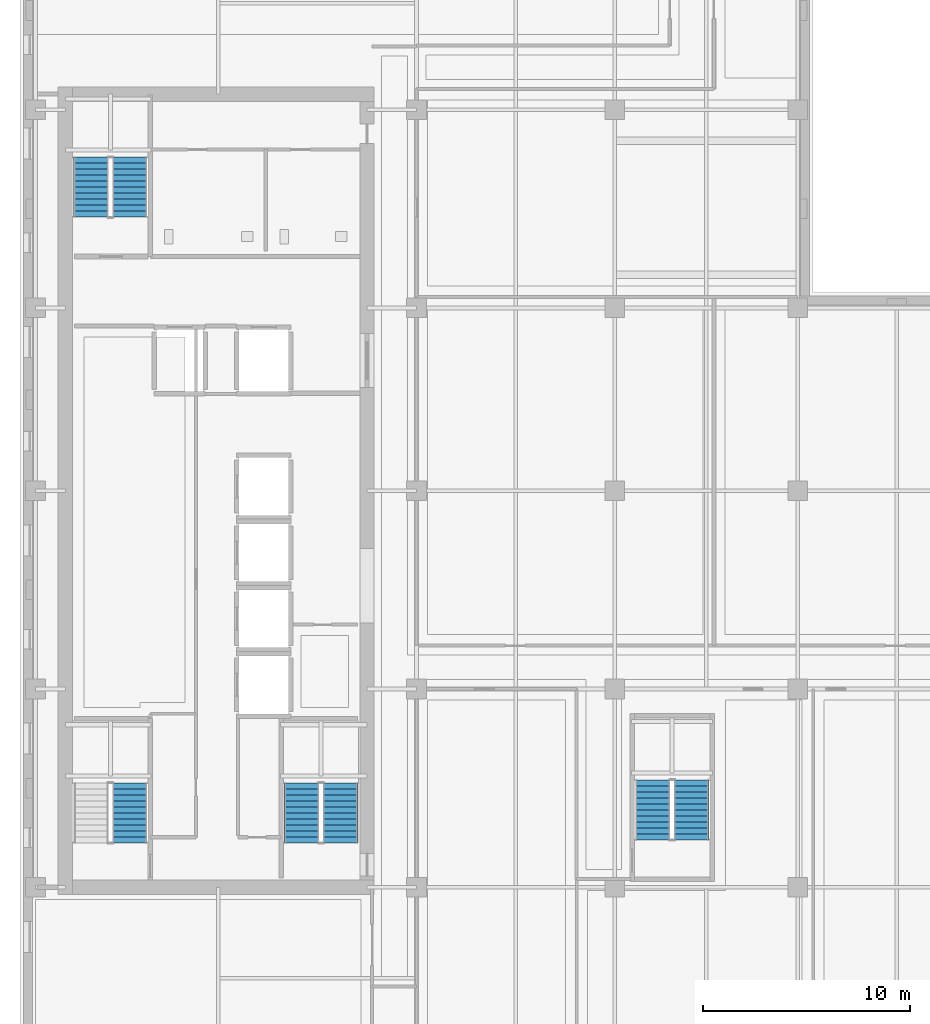
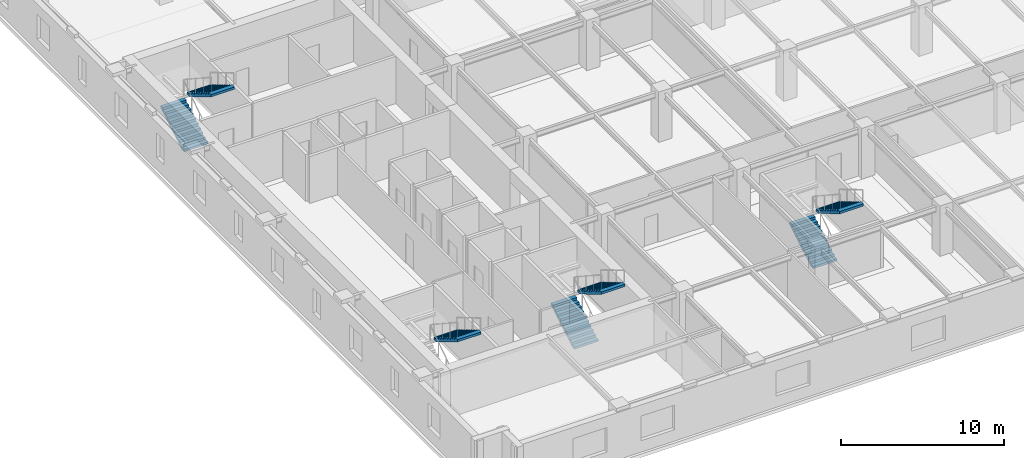
# One storey, part 8 of 13: 7 stair flights, 4 elements without a shape of their own.
"""IFC4 building model written with IfcOpenShell, lengths in metres."""

from ifc_helpers import new_model, si_unit, direction, frame, origin, place, context, subcontext, project, spatial, polyline, outline, extrude, material, type_object, element, aggregate, save


model = new_model("IFC4")

# Units and contexts
model_context = context("Model", 3, precision=1e-05, world=origin(), true_north=direction((0.0, 1.0)))
body_context = subcontext(model_context, "Body", "Model", "MODEL_VIEW")
ifc_project = project(units=[si_unit("LENGTHUNIT", "METRE"), si_unit("AREAUNIT", "SQUARE_METRE"), si_unit("VOLUMEUNIT", "CUBIC_METRE"), si_unit("PLANEANGLEUNIT", "RADIAN"), si_unit("MASSUNIT", "GRAM", prefix="KILO")], contexts=[model_context])

# Site, building, storey
site_placement = place(None, origin())
site = spatial("IfcSite", under=ifc_project, at=site_placement, CompositionType="ELEMENT")
building_placement = place(site_placement, origin())
building = spatial("IfcBuilding", under=site, at=building_placement, Name="Norrvale University Quadrangle", CompositionType="ELEMENT")
storey_placement = place(building_placement, frame((0.0, 0.0, 163.60009765625)))
storey = spatial("IfcBuildingStorey", under=building, at=storey_placement, Name="L41", CompositionType="ELEMENT", Elevation=163.60009765625)

# Stair, stair flight
ifc_material = material(Name="Concrete C40/50", Category="concrete")
stair_type = type_object("IfcStairType", Name="Stair Tower Typ 3800", PredefinedType="TWO_STRAIGHT_RUN_STAIR", material=ifc_material)
stair_1_placement = place(storey_placement, origin())
stair_1 = element("IfcStair", 1, at=stair_1_placement, inside=storey, type_object=stair_type, Name="Exit Stair ST-01 L41", PredefinedType="TWO_STRAIGHT_RUN_STAIR")
stair_flight_type = type_object("IfcStairFlightType", Name="Flight Typ 1500", PredefinedType="STRAIGHT", material=ifc_material)
stair_flight_1_placement = place(storey_placement, frame((5.320068359375, 14.64990234375, 1.89990234375), z_axis=(0.0, 0.0, 1.0), x_axis=(0.0, -1.0, 0.0)))
stair_flight_1 = element("IfcStairFlight", 2, at=stair_flight_1_placement, type_object=stair_flight_type, Name="Exit Stair ST-01 L41 Upper Flight", NumberOfRisers=11, NumberOfTreads=10, PredefinedType="STRAIGHT", RiserHeight=0.172727, TreadLength=0.29, context=body_context, shape_type="SweptSolid", body=[
    extrude(outline(polyline([(0.0, 0.0), (0.0, 0.172607421875), (0.2900390625, 0.172607421875), (0.2900390625, 0.345458984375), (0.580078125, 0.345458984375), (0.580078125, 0.51806640625), (0.8701171875, 0.51806640625), (0.8701171875, 0.69091796875), (1.159912109375, 0.69091796875), (1.159912109375, 0.863525390625), (1.449951171875, 0.863525390625), (1.449951171875, 1.036376953125), (1.739990234375, 1.036376953125), (1.739990234375, 1.208984375), (2.030029296875, 1.208984375), (2.030029296875, 1.3818359375), (2.320068359375, 1.3818359375), (2.320068359375, 1.554443359375), (2.610107421875, 1.554443359375), (2.610107421875, 1.727294921875), (2.89990234375, 1.727294921875), (2.89990234375, 1.89990234375), (2.89990234375, 1.552734375), (0.29296875, 0.0), (0.0, 0.0)])), frame((0.0, 0.83984375, 0.0), z_axis=(0.0, -1.0, 0.0), x_axis=(1.0, 0.0, 0.0)), (0.0, 0.0, 1.0), 1.679931640625),
])
aggregate(stair_1, [stair_flight_1])

# Stair, stair flights
stair_2_placement = place(storey_placement, origin())
stair_2 = element("IfcStair", 3, at=stair_2_placement, inside=storey, type_object=stair_type, Name="Exit Stair ST-02 L41", PredefinedType="TWO_STRAIGHT_RUN_STAIR")
stair_flight_2_placement = place(storey_placement, frame((3.429931640625, 42.050048828125, 0.0), z_axis=(0.0, 0.0, 1.0), x_axis=(0.0, 1.0, 0.0)))
stair_flight_2 = element("IfcStairFlight", 4, at=stair_flight_2_placement, type_object=stair_flight_type, Name="Exit Stair ST-02 L41 Lower Flight", NumberOfRisers=11, NumberOfTreads=10, PredefinedType="STRAIGHT", RiserHeight=0.172727, TreadLength=0.29, context=body_context, shape_type="SweptSolid", body=[
    extrude(outline(polyline([(0.0, 0.0), (0.0, 0.172607421875), (0.2900390625, 0.172607421875), (0.2900390625, 0.345458984375), (0.580078125, 0.345458984375), (0.580078125, 0.51806640625), (0.8701171875, 0.51806640625), (0.8701171875, 0.69091796875), (1.159912109375, 0.69091796875), (1.159912109375, 0.863525390625), (1.449951171875, 0.863525390625), (1.449951171875, 1.036376953125), (1.739990234375, 1.036376953125), (1.739990234375, 1.208984375), (2.030029296875, 1.208984375), (2.030029296875, 1.3818359375), (2.320068359375, 1.3818359375), (2.320068359375, 1.554443359375), (2.610107421875, 1.554443359375), (2.610107421875, 1.727294921875), (2.89990234375, 1.727294921875), (2.89990234375, 1.89990234375), (2.89990234375, 1.552734375), (0.29296875, 0.0), (0.0, 0.0)])), frame((0.0, 0.83984375, 0.0), z_axis=(0.0, -1.0, 0.0), x_axis=(1.0, 0.0, 0.0)), (0.0, 0.0, 1.0), 1.679931640625),
])
stair_flight_3_placement = place(storey_placement, frame((5.320068359375, 44.949951171875, 1.89990234375), z_axis=(0.0, 0.0, 1.0), x_axis=(0.0, -1.0, 0.0)))
stair_flight_3 = element("IfcStairFlight", 5, at=stair_flight_3_placement, type_object=stair_flight_type, Name="Exit Stair ST-02 L41 Upper Flight", NumberOfRisers=11, NumberOfTreads=10, PredefinedType="STRAIGHT", RiserHeight=0.172727, TreadLength=0.29, context=body_context, shape_type="SweptSolid", body=[
    extrude(outline(polyline([(0.0, 0.0), (0.0, 0.172607421875), (0.2900390625, 0.172607421875), (0.2900390625, 0.345458984375), (0.580078125, 0.345458984375), (0.580078125, 0.51806640625), (0.8701171875, 0.51806640625), (0.8701171875, 0.69091796875), (1.159912109375, 0.69091796875), (1.159912109375, 0.863525390625), (1.449951171875, 0.863525390625), (1.449951171875, 1.036376953125), (1.739990234375, 1.036376953125), (1.739990234375, 1.208984375), (2.030029296875, 1.208984375), (2.030029296875, 1.3818359375), (2.320068359375, 1.3818359375), (2.320068359375, 1.554443359375), (2.610107421875, 1.554443359375), (2.610107421875, 1.727294921875), (2.89990234375, 1.727294921875), (2.89990234375, 1.89990234375), (2.89990234375, 1.552734375), (0.29296875, 0.0), (0.0, 0.0)])), frame((0.0, 0.83984375, 0.0), z_axis=(0.0, -1.0, 0.0), x_axis=(1.0, 0.0, 0.0)), (0.0, 0.0, 1.0), 1.679931640625),
])
aggregate(stair_2, [stair_flight_2, stair_flight_3])

stair_3_placement = place(storey_placement, origin())
stair_3 = element("IfcStair", 6, at=stair_3_placement, inside=storey, type_object=stair_type, Name="Exit Stair ST-03 L41", PredefinedType="TWO_STRAIGHT_RUN_STAIR")
stair_flight_4_placement = place(storey_placement, frame((13.6298828125, 11.75, 0.0), z_axis=(0.0, 0.0, 1.0), x_axis=(0.0, 1.0, 0.0)))
stair_flight_4 = element("IfcStairFlight", 7, at=stair_flight_4_placement, type_object=stair_flight_type, Name="Exit Stair ST-03 L41 Lower Flight", NumberOfRisers=11, NumberOfTreads=10, PredefinedType="STRAIGHT", RiserHeight=0.172727, TreadLength=0.29, context=body_context, shape_type="SweptSolid", body=[
    extrude(outline(polyline([(0.0, 0.0), (0.0, 0.172607421875), (0.2900390625, 0.172607421875), (0.2900390625, 0.345458984375), (0.580078125, 0.345458984375), (0.580078125, 0.51806640625), (0.8701171875, 0.51806640625), (0.8701171875, 0.69091796875), (1.159912109375, 0.69091796875), (1.159912109375, 0.863525390625), (1.449951171875, 0.863525390625), (1.449951171875, 1.036376953125), (1.739990234375, 1.036376953125), (1.739990234375, 1.208984375), (2.030029296875, 1.208984375), (2.030029296875, 1.3818359375), (2.320068359375, 1.3818359375), (2.320068359375, 1.554443359375), (2.610107421875, 1.554443359375), (2.610107421875, 1.727294921875), (2.89990234375, 1.727294921875), (2.89990234375, 1.89990234375), (2.89990234375, 1.552734375), (0.29296875, 0.0), (0.0, 0.0)])), frame((0.0, 0.83984375, 0.0), z_axis=(0.0, -1.0, 0.0), x_axis=(1.0, 0.0, 0.0)), (0.0, 0.0, 1.0), 1.679931640625),
])
stair_flight_5_placement = place(storey_placement, frame((15.52001953125, 14.64990234375, 1.89990234375), z_axis=(0.0, 0.0, 1.0), x_axis=(0.0, -1.0, 0.0)))
stair_flight_5 = element("IfcStairFlight", 8, at=stair_flight_5_placement, type_object=stair_flight_type, Name="Exit Stair ST-03 L41 Upper Flight", NumberOfRisers=11, NumberOfTreads=10, PredefinedType="STRAIGHT", RiserHeight=0.172727, TreadLength=0.29, context=body_context, shape_type="SweptSolid", body=[
    extrude(outline(polyline([(0.0, 0.0), (0.0, 0.172607421875), (0.2900390625, 0.172607421875), (0.2900390625, 0.345458984375), (0.580078125, 0.345458984375), (0.580078125, 0.51806640625), (0.8701171875, 0.51806640625), (0.8701171875, 0.69091796875), (1.159912109375, 0.69091796875), (1.159912109375, 0.863525390625), (1.449951171875, 0.863525390625), (1.449951171875, 1.036376953125), (1.739990234375, 1.036376953125), (1.739990234375, 1.208984375), (2.030029296875, 1.208984375), (2.030029296875, 1.3818359375), (2.320068359375, 1.3818359375), (2.320068359375, 1.554443359375), (2.610107421875, 1.554443359375), (2.610107421875, 1.727294921875), (2.89990234375, 1.727294921875), (2.89990234375, 1.89990234375), (2.89990234375, 1.552734375), (0.29296875, 0.0), (0.0, 0.0)])), frame((0.0, 0.83984375, 0.0), z_axis=(0.0, -1.0, 0.0), x_axis=(1.0, 0.0, 0.0)), (0.0, 0.0, 1.0), 1.679931640625),
])
aggregate(stair_3, [stair_flight_4, stair_flight_5])

stair_4_placement = place(storey_placement, origin())
stair_4 = element("IfcStair", 9, at=stair_4_placement, inside=storey, type_object=stair_type, Name="Exit Stair ST-04 L41", PredefinedType="TWO_STRAIGHT_RUN_STAIR")
stair_flight_6_placement = place(storey_placement, frame((30.6298828125, 11.89990234375, 0.0), z_axis=(0.0, 0.0, 1.0), x_axis=(0.0, 1.0, 0.0)))
stair_flight_6 = element("IfcStairFlight", 10, at=stair_flight_6_placement, type_object=stair_flight_type, Name="Exit Stair ST-04 L41 Lower Flight", NumberOfRisers=11, NumberOfTreads=10, PredefinedType="STRAIGHT", RiserHeight=0.172727, TreadLength=0.29, context=body_context, shape_type="SweptSolid", body=[
    extrude(outline(polyline([(0.0, 0.0), (0.0, 0.172607421875), (0.2900390625, 0.172607421875), (0.2900390625, 0.345458984375), (0.580078125, 0.345458984375), (0.580078125, 0.51806640625), (0.8701171875, 0.51806640625), (0.8701171875, 0.69091796875), (1.159912109375, 0.69091796875), (1.159912109375, 0.863525390625), (1.449951171875, 0.863525390625), (1.449951171875, 1.036376953125), (1.739990234375, 1.036376953125), (1.739990234375, 1.208984375), (2.030029296875, 1.208984375), (2.030029296875, 1.3818359375), (2.320068359375, 1.3818359375), (2.320068359375, 1.554443359375), (2.610107421875, 1.554443359375), (2.610107421875, 1.727294921875), (2.89990234375, 1.727294921875), (2.89990234375, 1.89990234375), (2.89990234375, 1.552734375), (0.29296875, 0.0), (0.0, 0.0)])), frame((0.0, 0.83984375, 0.0), z_axis=(0.0, -1.0, 0.0), x_axis=(1.0, 0.0, 0.0)), (0.0, 0.0, 1.0), 1.679931640625),
])
stair_flight_7_placement = place(storey_placement, frame((32.52001953125, 14.800048828125, 1.89990234375), z_axis=(0.0, 0.0, 1.0), x_axis=(0.0, -1.0, 0.0)))
stair_flight_7 = element("IfcStairFlight", 11, at=stair_flight_7_placement, type_object=stair_flight_type, Name="Exit Stair ST-04 L41 Upper Flight", NumberOfRisers=11, NumberOfTreads=10, PredefinedType="STRAIGHT", RiserHeight=0.172727, TreadLength=0.29, context=body_context, shape_type="SweptSolid", body=[
    extrude(outline(polyline([(0.0, 0.0), (0.0, 0.172607421875), (0.2900390625, 0.172607421875), (0.2900390625, 0.345458984375), (0.580078125, 0.345458984375), (0.580078125, 0.51806640625), (0.8701171875, 0.51806640625), (0.8701171875, 0.69091796875), (1.159912109375, 0.69091796875), (1.159912109375, 0.863525390625), (1.449951171875, 0.863525390625), (1.449951171875, 1.036376953125), (1.739990234375, 1.036376953125), (1.739990234375, 1.208984375), (2.030029296875, 1.208984375), (2.030029296875, 1.3818359375), (2.320068359375, 1.3818359375), (2.320068359375, 1.554443359375), (2.610107421875, 1.554443359375), (2.610107421875, 1.727294921875), (2.89990234375, 1.727294921875), (2.89990234375, 1.89990234375), (2.89990234375, 1.552734375), (0.29296875, 0.0), (0.0, 0.0)])), frame((0.0, 0.83984375, 0.0), z_axis=(0.0, -1.0, 0.0), x_axis=(1.0, 0.0, 0.0)), (0.0, 0.0, 1.0), 1.679931640625),
])
aggregate(stair_4, [stair_flight_6, stair_flight_7])

save(model, "model.ifc")
